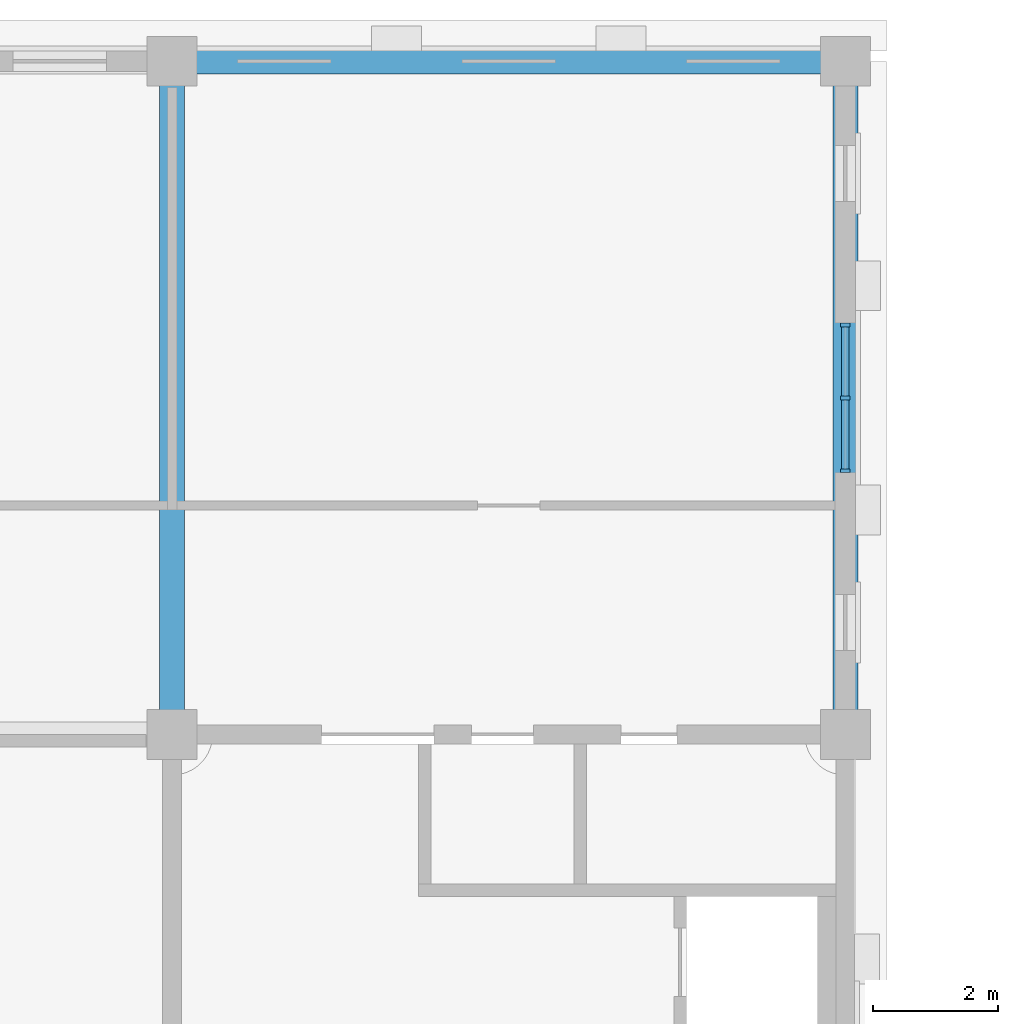
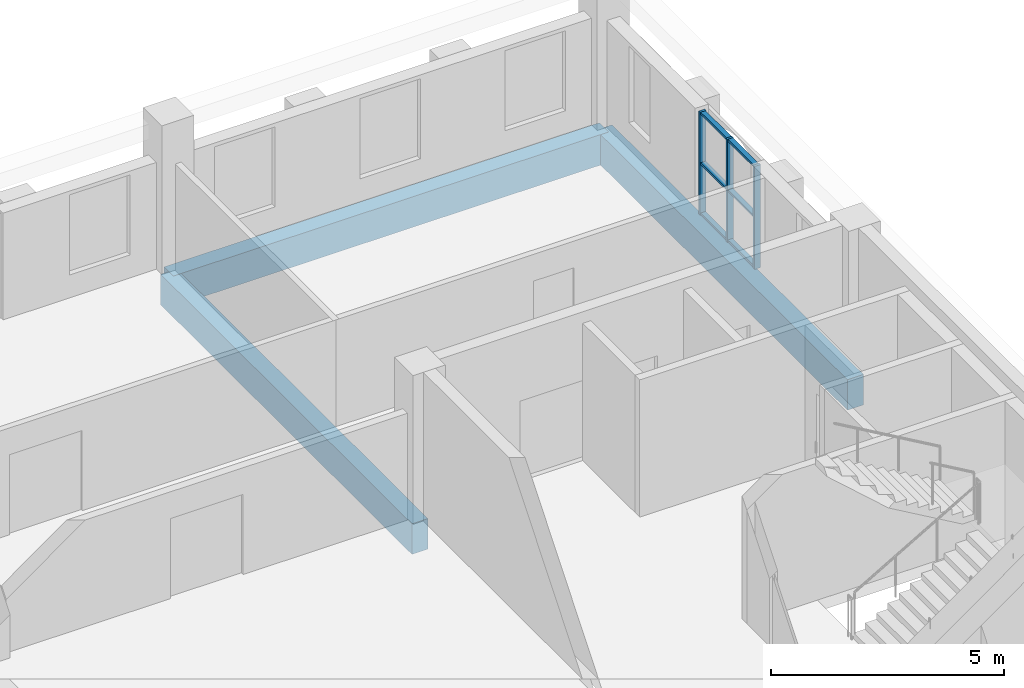
# One storey, part 25 of 56: 9 members, 3 beams, 1 element without a shape of its own.
"""IFC4 building model written with IfcOpenShell, lengths in metres."""

from ifc_helpers import new_model, si_unit, direction, frame, origin, origin_2d, place, context, subcontext, project, spatial, rectangle, extrude, material, layer, layer_set, material_profile, profile_set, type_object, element, aggregate, save


model = new_model("IFC4")

# Units and contexts
model_context = context("Model", 3, precision=1e-05, world=origin(), true_north=direction((0.0, 1.0)))
body_context = subcontext(model_context, "Body", "Model", "MODEL_VIEW")
ifc_project = project(units=[si_unit("LENGTHUNIT", "METRE"), si_unit("AREAUNIT", "SQUARE_METRE"), si_unit("VOLUMEUNIT", "CUBIC_METRE"), si_unit("PLANEANGLEUNIT", "RADIAN"), si_unit("MASSUNIT", "GRAM", prefix="KILO")], contexts=[model_context])

# Site, building, storey
site_placement = place(None, origin())
site = spatial("IfcSite", under=ifc_project, at=site_placement, CompositionType="ELEMENT")
building_placement = place(site_placement, origin())
building = spatial("IfcBuilding", under=site, at=building_placement, Name="Magnolia Steps Interchange", CompositionType="ELEMENT")
storey_placement = place(building_placement, frame((0.0, 0.0, 8.699951171875)))
storey = spatial("IfcBuildingStorey", under=building, at=storey_placement, Name="L02", CompositionType="ELEMENT", Elevation=8.699951171875)

# Curtain wall, members
ifc_material_1 = material(Name="Powder-coated aluminium and glass", Category="aluminium")
ifc_layer = layer(ifc_material_1, 0.199951171875)
ifc_layer_set = layer_set([ifc_layer], Name="Glazed central bay curtain wall")
curtain_wall_type = type_object("IfcCurtainWallType", Name="Glazed central bay curtain wall", PredefinedType="NOTDEFINED", material=ifc_layer_set)
curtain_wall_placement = place(storey_placement, origin())
curtain_wall = element("IfcCurtainWall", 1, at=curtain_wall_placement, inside=storey, type_object=curtain_wall_type, Name="Operations building east wall L02 glazing 2", PredefinedType="NOTDEFINED")
ifc_material_2 = material(Name="White powder-coated aluminium", Category="aluminium")
ifc_material_profile_1 = material_profile(ifc_material_2, rectangle(XDim=0.06005859375, YDim=0.14990234375, at=origin_2d()), Name="Aluminium mullion 60 x 150")
ifc_profile_set_1 = profile_set([ifc_material_profile_1], Name="White powder-coated aluminium")
member_type_1 = type_object("IfcMemberType", Name="Aluminium mullion 60 x 150", PredefinedType="MULLION", material=ifc_profile_set_1)
member_1_placement = place(storey_placement, frame((118.0, 111.429931640625, 0.0), z_axis=(0.0, 0.0, 1.0), x_axis=(0.0, 1.0, 0.0)))
member_1 = element("IfcMember", 2, at=member_1_placement, type_object=member_type_1, Name="CW2 mullion 1", PredefinedType="MULLION", context=body_context, shape_type="SweptSolid", body=[
    extrude(rectangle(XDim=0.06005859375, YDim=0.14990234375, at=origin_2d()), origin(), (0.0, 0.0, 1.0), 2.699951171875),
])
member_2_placement = place(storey_placement, frame((118.0, 112.60009765625, 0.0), z_axis=(0.0, 0.0, 1.0), x_axis=(0.0, 1.0, 0.0)))
member_2 = element("IfcMember", 3, at=member_2_placement, type_object=member_type_1, Name="CW2 mullion 2", PredefinedType="MULLION", context=body_context, shape_type="SweptSolid", body=[
    extrude(rectangle(XDim=0.06005859375, YDim=0.14990234375, at=origin_2d()), origin(), (0.0, 0.0, 1.0), 2.699951171875),
])
member_3_placement = place(storey_placement, frame((118.0, 113.77001953125, 0.0), z_axis=(0.0, 0.0, 1.0), x_axis=(0.0, 1.0, 0.0)))
member_3 = element("IfcMember", 4, at=member_3_placement, type_object=member_type_1, Name="CW2 mullion 3", PredefinedType="MULLION", context=body_context, shape_type="SweptSolid", body=[
    extrude(rectangle(XDim=0.06005859375, YDim=0.14990234375, at=origin_2d()), origin(), (0.0, 0.0, 1.0), 2.699951171875),
])
ifc_material_3 = material(Name="White powder-coated aluminium", Category="aluminium")
ifc_material_profile_2 = material_profile(ifc_material_3, rectangle(XDim=0.06005859375, YDim=0.1201171875, at=origin_2d()), Name="Aluminium transom 60 x 120")
ifc_profile_set_2 = profile_set([ifc_material_profile_2], Name="White powder-coated aluminium")
member_type_2 = type_object("IfcMemberType", Name="Aluminium transom 60 x 120", PredefinedType="USERDEFINED", material=ifc_profile_set_2)
member_4_placement = place(storey_placement, frame((118.0, 111.4599609375, 0.030029296875), z_axis=(0.0, 1.0, 0.0), x_axis=(0.0, 0.0, 1.0)))
member_4 = element("IfcMember", 5, at=member_4_placement, type_object=member_type_2, Name="CW2 transom 1.1", ObjectType="TRANSOM", PredefinedType="USERDEFINED", context=body_context, shape_type="SweptSolid", body=[
    extrude(rectangle(XDim=0.06005859375, YDim=0.1201171875, at=origin_2d()), origin(), (0.0, 0.0, 1.0), 1.110107421875),
])
member_5_placement = place(storey_placement, frame((118.0, 111.4599609375, 1.35009765625), z_axis=(0.0, 1.0, 0.0), x_axis=(0.0, 0.0, 1.0)))
member_5 = element("IfcMember", 6, at=member_5_placement, type_object=member_type_2, Name="CW2 transom 1.2", ObjectType="TRANSOM", PredefinedType="USERDEFINED", context=body_context, shape_type="SweptSolid", body=[
    extrude(rectangle(XDim=0.06005859375, YDim=0.1201171875, at=origin_2d()), origin(), (0.0, 0.0, 1.0), 1.110107421875),
])
member_6_placement = place(storey_placement, frame((118.0, 111.4599609375, 2.670166015625), z_axis=(0.0, 1.0, 0.0), x_axis=(0.0, 0.0, 1.0)))
member_6 = element("IfcMember", 7, at=member_6_placement, type_object=member_type_2, Name="CW2 transom 1.3", ObjectType="TRANSOM", PredefinedType="USERDEFINED", context=body_context, shape_type="SweptSolid", body=[
    extrude(rectangle(XDim=0.06005859375, YDim=0.1201171875, at=origin_2d()), origin(), (0.0, 0.0, 1.0), 1.110107421875),
])
member_7_placement = place(storey_placement, frame((118.0, 112.6298828125, 0.030029296875), z_axis=(0.0, 1.0, 0.0), x_axis=(0.0, 0.0, 1.0)))
member_7 = element("IfcMember", 8, at=member_7_placement, type_object=member_type_2, Name="CW2 transom 2.1", ObjectType="TRANSOM", PredefinedType="USERDEFINED", context=body_context, shape_type="SweptSolid", body=[
    extrude(rectangle(XDim=0.06005859375, YDim=0.1201171875, at=origin_2d()), origin(), (0.0, 0.0, 1.0), 1.110107421875),
])
member_8_placement = place(storey_placement, frame((118.0, 112.6298828125, 1.35009765625), z_axis=(0.0, 1.0, 0.0), x_axis=(0.0, 0.0, 1.0)))
member_8 = element("IfcMember", 9, at=member_8_placement, type_object=member_type_2, Name="CW2 transom 2.2", ObjectType="TRANSOM", PredefinedType="USERDEFINED", context=body_context, shape_type="SweptSolid", body=[
    extrude(rectangle(XDim=0.06005859375, YDim=0.1201171875, at=origin_2d()), origin(), (0.0, 0.0, 1.0), 1.110107421875),
])
member_9_placement = place(storey_placement, frame((118.0, 112.6298828125, 2.670166015625), z_axis=(0.0, 1.0, 0.0), x_axis=(0.0, 0.0, 1.0)))
member_9 = element("IfcMember", 10, at=member_9_placement, type_object=member_type_2, Name="CW2 transom 2.3", ObjectType="TRANSOM", PredefinedType="USERDEFINED", context=body_context, shape_type="SweptSolid", body=[
    extrude(rectangle(XDim=0.06005859375, YDim=0.1201171875, at=origin_2d()), origin(), (0.0, 0.0, 1.0), 1.110107421875),
])
aggregate(curtain_wall, [member_1, member_2, member_3, member_4, member_5, member_6, member_7, member_8, member_9])

# Beams
ifc_material_4 = material(Name="Concrete C40", Category="concrete")
ifc_material_profile_3 = material_profile(ifc_material_4, rectangle(XDim=0.39990234375, YDim=0.800048828125, at=origin_2d()), Name="RC400x800")
ifc_profile_set_3 = profile_set([ifc_material_profile_3], Name="Concrete C40")
beam_type = type_object("IfcBeamType", Name="RC beam 400x800", PredefinedType="BEAM", material=ifc_profile_set_3)
for number, where, z_axis, x_axis, name in (
    (11, (107.199951171875, 118.0, -0.699951171875), (1.0, 0.0, 0.0), (0.0, 1.0, 0.0), "Beam L02 K 10-11"),
    (12, (107.199951171875, 107.199951171875, -0.699951171875), (0.0, 1.0, 0.0), (-1.0, 0.0, 0.0), "Beam L02 10 J-K"),
    (13, (118.0, 107.199951171875, -0.699951171875), (0.0, 1.0, 0.0), (-1.0, 0.0, 0.0), "Beam L02 11 J-K"),
):
    element("IfcBeam", number, at=place(storey_placement, frame(where, z_axis=z_axis, x_axis=x_axis)), inside=storey, type_object=beam_type, Name=name, PredefinedType="BEAM", context=body_context, shape_type="SweptSolid", body=[
        extrude(rectangle(XDim=0.39990234375, YDim=0.800048828125, at=origin_2d()), origin(), (0.0, 0.0, 1.0), 10.800048828125),
    ])

save(model, "model.ifc")
